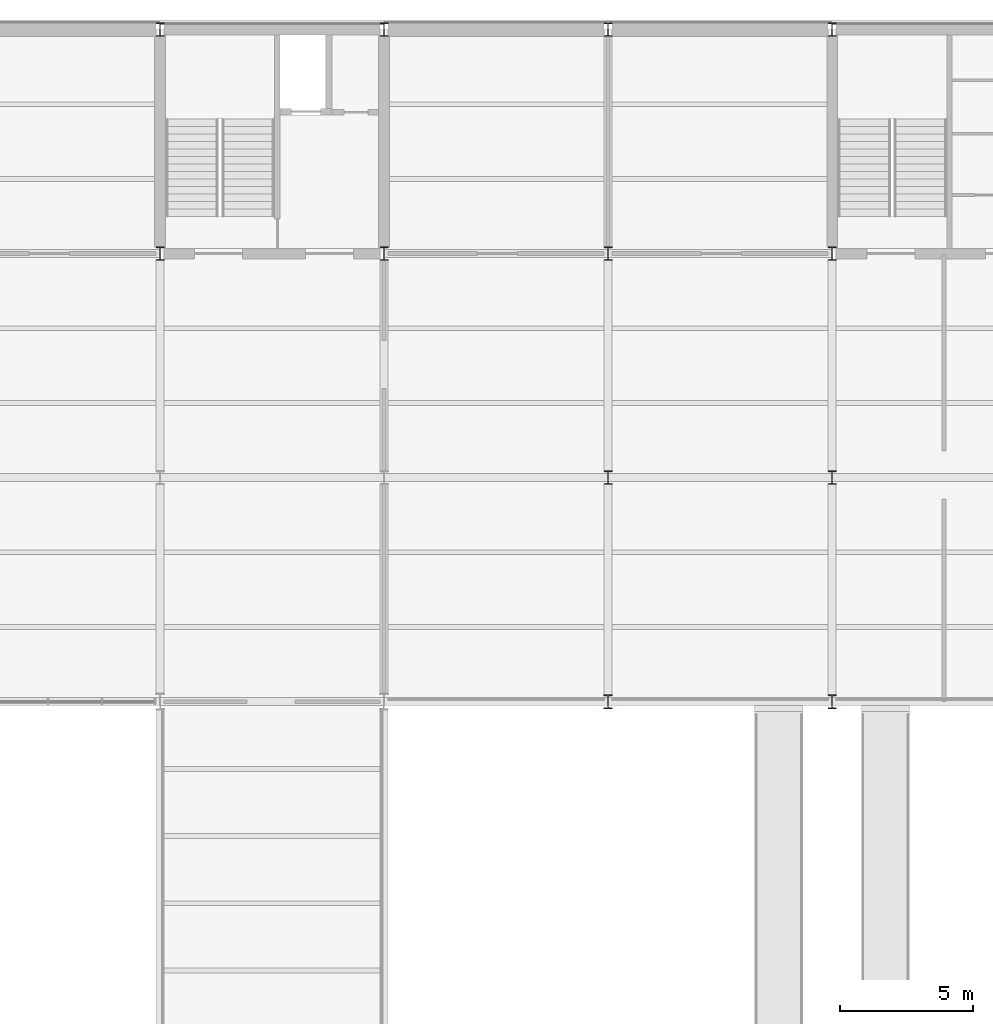
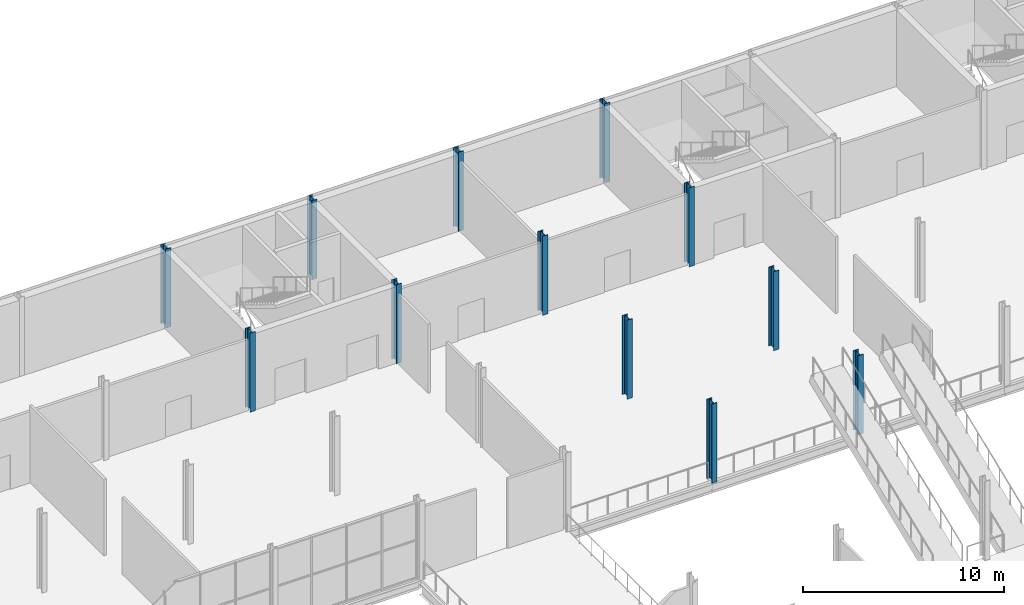
# One storey, part 4 of 61: 12 columns.
"""IFC4 building model written with IfcOpenShell, lengths in metres."""

import ifcopenshell
import ifcopenshell.guid

model = None  # the IFC model being written
_history = None  # IfcOwnerHistory: only IFC2X3 demands one
_inside = {}  # id of a spatial element -> (the spatial element, [elements in it])
_under = {}  # id of a project, library or spatial element -> (it, [spatial elements below it])
_declared = {}  # id of a project -> (the project, [libraries it declares])
_typed = {}  # id of a type object -> (the type object, [elements of that type])
_made_of = {}  # id of a material, layer set ... -> (it, [elements and type objects made of it])


def new_model(schema):
    """Start an empty IFC model of exactly this schema.

    Asked for "IFC4X3", IfcOpenShell would pick the latest addendum, in which some entities
    have other attributes; the version numbers below select the first issue.
    IFC2X3 requires an IfcOwnerHistory on every rooted entity: one is made here for all.
    """
    global model, _history
    if schema == "IFC4X3":
        model = ifcopenshell.file(schema_version=(4, 3, 0, 0))
    else:
        model = ifcopenshell.file(schema=schema)
    _inside.clear()
    _under.clear()
    _declared.clear()
    _typed.clear()
    _made_of.clear()
    _history = None
    if model.schema == "IFC2X3":
        org = make("IfcOrganization", Name="unknown")
        user = make(
            "IfcPersonAndOrganization",
            ThePerson=make("IfcPerson", FamilyName="unknown"),
            TheOrganization=org,
        )
        app = make(
            "IfcApplication",
            ApplicationDeveloper=org,
            Version="unknown",
            ApplicationFullName="unknown",
            ApplicationIdentifier="unknown",
        )
        _history = make(
            "IfcOwnerHistory",
            OwningUser=user,
            OwningApplication=app,
            ChangeAction="ADDED",
            CreationDate=0,
        )
    return model


def make(cls, **values):
    """One entity of the class cls with the attributes given. An attribute that is None is left unset."""
    return model.create_entity(
        cls, **{name: value for name, value in values.items() if value is not None}
    )


def rooted(cls, **values):
    """An entity with a GlobalId (a new one), such as an element, a storey or a relation."""
    return make(cls, GlobalId=ifcopenshell.guid.new(), OwnerHistory=_history, **values)


def si_unit(unit_type, name, prefix=None):
    """IfcSIUnit, for example si_unit("LENGTHUNIT", "METRE", prefix="MILLI")."""
    return make("IfcSIUnit", UnitType=unit_type, Prefix=prefix, Name=name)


def assignment(units):
    """IfcUnitAssignment: the units of a project."""
    return None if units is None else make("IfcUnitAssignment", Units=units)


def point(xyz):
    """IfcCartesianPoint."""
    return None if xyz is None else make("IfcCartesianPoint", Coordinates=xyz)


def direction(xyz):
    """IfcDirection."""
    return None if xyz is None else make("IfcDirection", DirectionRatios=xyz)


def frame(location, z_axis=None, x_axis=None):
    """IfcAxis2Placement3D, a coordinate frame: its origin and axes. An axis left out is left unset."""
    return make(
        "IfcAxis2Placement3D",
        Location=point(location),
        Axis=direction(z_axis),
        RefDirection=direction(x_axis),
    )


def frame_2d(location, x_axis=None):
    """IfcAxis2Placement2D, a coordinate frame in the plane: its origin and x axis."""
    return make(
        "IfcAxis2Placement2D", Location=point(location), RefDirection=direction(x_axis)
    )


def origin():
    """The frame at (0, 0, 0) with its axes left unset."""
    return frame((0.0, 0.0, 0.0))


def origin_2d():
    """The frame at (0, 0) in the plane with its x axis left unset."""
    return frame_2d((0.0, 0.0))


def place(relative_to, where):
    """IfcLocalPlacement: puts the frame where relative to a parent placement (None: the world)."""
    return make(
        "IfcLocalPlacement", PlacementRelTo=relative_to, RelativePlacement=where
    )


def context(
    kind, dimensions, precision=None, world=None, true_north=None, identifier=None
):
    """IfcGeometricRepresentationContext, for example the 3D "Model" context."""
    return make(
        "IfcGeometricRepresentationContext",
        ContextIdentifier=identifier,
        ContextType=kind,
        CoordinateSpaceDimension=dimensions,
        Precision=precision,
        WorldCoordinateSystem=world,
        TrueNorth=true_north,
    )


def subcontext(parent, identifier, kind, view, scale=None):
    """IfcGeometricRepresentationSubContext, for example "Body" below "Model"."""
    return make(
        "IfcGeometricRepresentationSubContext",
        ContextIdentifier=identifier,
        ContextType=kind,
        ParentContext=parent,
        TargetScale=scale,
        TargetView=view,
    )


def project(units=None, contexts=None):
    """IfcProject with its units and contexts."""
    return rooted(
        "IfcProject",
        Name="project",
        RepresentationContexts=contexts,
        UnitsInContext=assignment(units),
    )


def spatial(cls, under=None, at=None, **own):
    """A site, building, storey or space (cls), placed at a placement, below another one or the project."""
    s = rooted(cls, ObjectPlacement=at, **own)
    if under is not None:
        _under.setdefault(under.id(), (under, []))[1].append(s)
    return s


def profile(cls, at=None, kind="AREA", **sizes):
    """A parametric profile (cls). Its sizes go by their IFC names, for example OverallWidth=200.0."""
    return make(cls, ProfileType=kind, Position=at, **sizes)


def i_section(**sizes):
    """IfcIShapeProfileDef."""
    return profile("IfcIShapeProfileDef", **sizes)


def extrude(swept, where, along, depth):
    """IfcExtrudedAreaSolid: the profile swept, set in the frame where, extruded along a direction by depth."""
    return make(
        "IfcExtrudedAreaSolid",
        SweptArea=swept,
        Position=where,
        ExtrudedDirection=direction(along),
        Depth=depth,
    )


def shape(context_of_items, identifier, shape_type, items):
    """IfcShapeRepresentation: the items that make up one representation, for example the "Body"."""
    return make(
        "IfcShapeRepresentation",
        ContextOfItems=context_of_items,
        RepresentationIdentifier=identifier,
        RepresentationType=shape_type,
        Items=items,
    )


def material(Name=None, Category=None):
    """IfcMaterial."""
    return make("IfcMaterial", Name=Name, Category=Category)


def material_profile(
    of_material, cross_section, Name=None, Category=None, Priority=None
):
    """IfcMaterialProfile: a cross section and its material."""
    return make(
        "IfcMaterialProfile",
        Name=Name,
        Material=of_material,
        Profile=cross_section,
        Priority=Priority,
        Category=Category,
    )


def profile_set(profiles, Name=None, composite=None):
    """IfcMaterialProfileSet."""
    return make(
        "IfcMaterialProfileSet",
        Name=Name,
        MaterialProfiles=profiles,
        CompositeProfile=composite,
    )


def made_of(thing, what):
    """Note that an element or type object is made of a material, layer set ...; save() writes the relation."""
    if what is not None:
        _made_of.setdefault(what.id(), (what, []))[1].append(thing)
    return thing


def type_object(cls, material=None, **own):
    """A type object (cls), such as IfcWallType, which elements share."""
    return made_of(rooted(cls, **own), material)


def element(
    cls,
    number,
    at=None,
    inside=None,
    cuts=None,
    type_object=None,
    material=None,
    context=None,
    identifier="Body",
    shape_type=None,
    held_by="IfcProductDefinitionShape",
    body=None,
    shapes=None,
    **own,
):
    """One element of the class cls, such as IfcWall. Its Tag is "e" and its number.

    at: its placement. inside: the storey or other place that contains it. cuts: it is an
    opening in that element (IfcRelVoidsElement). A single representation is given by context,
    identifier, shape_type and body (its items); several are given by shapes. held_by: the class
    of the entity that holds the representations. save() writes the other relations.
    """
    e = rooted(cls, Tag="e%d" % number, ObjectPlacement=at, **own)
    if body is not None:
        shapes = [shape(context, identifier, shape_type, body)]
    if shapes is not None:
        e.Representation = make(held_by, Representations=shapes)
    if inside is not None:
        _inside.setdefault(inside.id(), (inside, []))[1].append(e)
    if cuts is not None:
        rooted(
            "IfcRelVoidsElement", RelatingBuildingElement=cuts, RelatedOpeningElement=e
        )
    if type_object is not None:
        _typed.setdefault(type_object.id(), (type_object, []))[1].append(e)
    return made_of(e, material)


def aggregate(whole, parts):
    """IfcRelAggregates: a whole, such as a stair, and the parts it consists of."""
    return rooted("IfcRelAggregates", RelatingObject=whole, RelatedObjects=parts)


def save(model, path):
    """Write the relations noted so far, then the file.

    IfcRelAggregates (storeys below a building ...), IfcRelContainedInSpatialStructure (elements
    in a storey), IfcRelDefinesByType, IfcRelAssociatesMaterial and IfcRelDeclares: one each for
    every whole, place, type object, material and project.
    """
    for whole, parts in _under.values():
        aggregate(whole, parts)
    for where, things in _inside.values():
        rooted(
            "IfcRelContainedInSpatialStructure",
            RelatedElements=things,
            RelatingStructure=where,
        )
    for kind, things in _typed.values():
        rooted("IfcRelDefinesByType", RelatedObjects=things, RelatingType=kind)
    for what, things in _made_of.values():
        rooted("IfcRelAssociatesMaterial", RelatedObjects=things, RelatingMaterial=what)
    for by, libraries in _declared.values():
        rooted("IfcRelDeclares", RelatingContext=by, RelatedDefinitions=libraries)
    model.write(path)


model = new_model("IFC4")

# Units and contexts
model_context = context("Model", 3, precision=1e-05, world=origin(), true_north=direction((0.0, 1.0)))
body_context = subcontext(model_context, "Body", "Model", "MODEL_VIEW")
ifc_project = project(units=[si_unit("LENGTHUNIT", "METRE"), si_unit("AREAUNIT", "SQUARE_METRE"), si_unit("VOLUMEUNIT", "CUBIC_METRE"), si_unit("PLANEANGLEUNIT", "RADIAN"), si_unit("MASSUNIT", "GRAM", prefix="KILO")], contexts=[model_context])

# Site, building, storey
site_placement = place(None, origin())
site = spatial("IfcSite", under=ifc_project, at=site_placement, CompositionType="ELEMENT")
building_placement = place(site_placement, origin())
building = spatial("IfcBuilding", under=site, at=building_placement, Name="Galleria Vessillo Department Store", CompositionType="ELEMENT")
storey_placement = place(building_placement, frame((0.0, 0.0, 11.39990234375)))
storey = spatial("IfcBuildingStorey", under=building, at=storey_placement, Name="L02", CompositionType="ELEMENT", Elevation=11.39990234375)

# Columns
ifc_material_1 = material(Name="Steel S355 J2", Category="steel")
ifc_material_profile_1 = material_profile(ifc_material_1, i_section(OverallWidth=0.300048828125, OverallDepth=0.5, WebThickness=0.014404296875, FlangeThickness=0.028076171875, FilletRadius=0.027099609375, at=origin_2d()), Name="HEB 500")
ifc_profile_set_1 = profile_set([ifc_material_profile_1], Name="Steel S355 J2")
column_type_1 = type_object("IfcColumnType", Name="Steel column HEB 500 CP1", PredefinedType="COLUMN", material=ifc_profile_set_1)
for number, where, z_axis, x_axis, name in (
    (1, (33.60009765625, 54.60009765625, 0.0), (0.0, 0.0, 1.0), (1.0, 0.0, 0.0), "S-COL-L02-5-G"),
    (2, (33.60009765625, 63.0, 0.0), (0.0, 0.0, 1.0), (1.0, 0.0, 0.0), "S-COL-L02-5-H"),
    (3, (42.0, 54.60009765625, 0.0), (0.0, 0.0, 1.0), (1.0, 0.0, 0.0), "S-COL-L02-6-G"),
    (4, (42.0, 63.0, 0.0), (0.0, 0.0, 1.0), (1.0, 0.0, 0.0), "S-COL-L02-6-H"),
    (5, (50.39990234375, 46.199951171875, 0.0), (0.0, 0.0, 1.0), (1.0, 0.0, 0.0), "S-COL-L02-7-F"),
    (6, (50.39990234375, 54.60009765625, 0.0), (0.0, 0.0, 1.0), (1.0, 0.0, 0.0), "S-COL-L02-7-G"),
    (7, (50.39990234375, 63.0, 0.0), (0.0, 0.0, 1.0), (1.0, 0.0, 0.0), "S-COL-L02-7-H"),
    (8, (58.800048828125, 46.199951171875, 0.0), (0.0, 0.0, 1.0), (1.0, 0.0, 0.0), "S-COL-L02-8-F"),
    (9, (58.800048828125, 54.60009765625, 0.0), (0.0, 0.0, 1.0), (1.0, 0.0, 0.0), "S-COL-L02-8-G"),
    (10, (58.800048828125, 63.0, 0.0), (0.0, 0.0, 1.0), (1.0, 0.0, 0.0), "S-COL-L02-8-H"),
):
    element("IfcColumn", number, at=place(storey_placement, frame(where, z_axis=z_axis, x_axis=x_axis)), inside=storey, type_object=column_type_1, Name=name, PredefinedType="COLUMN", context=body_context, shape_type="SweptSolid", body=[
        extrude(i_section(OverallWidth=0.300048828125, OverallDepth=0.5, WebThickness=0.014404296875, FlangeThickness=0.028076171875, FilletRadius=0.027099609375, at=origin_2d()), origin(), (0.0, 0.0, 1.0), 4.800048828125),
    ])
ifc_material_2 = material(Name="Steel S355 J2", Category="steel")
ifc_material_profile_2 = material_profile(ifc_material_2, i_section(OverallWidth=0.305908203125, OverallDepth=0.52392578125, WebThickness=0.02099609375, FlangeThickness=0.0400390625, FilletRadius=0.027099609375, at=origin_2d()), Name="HEM 500")
ifc_profile_set_2 = profile_set([ifc_material_profile_2], Name="Steel S355 J2")
column_type_2 = type_object("IfcColumnType", Name="Steel column HEM 500 CV1", PredefinedType="COLUMN", material=ifc_profile_set_2)
for number, where, z_axis, x_axis, name in (
    (11, (50.39990234375, 37.800048828125, 0.0), (0.0, 0.0, 1.0), (1.0, 0.0, 0.0), "S-COL-L02-7-E"),
    (12, (58.800048828125, 37.800048828125, 0.0), (0.0, 0.0, 1.0), (1.0, 0.0, 0.0), "S-COL-L02-8-E"),
):
    element("IfcColumn", number, at=place(storey_placement, frame(where, z_axis=z_axis, x_axis=x_axis)), inside=storey, type_object=column_type_2, Name=name, PredefinedType="COLUMN", context=body_context, shape_type="SweptSolid", body=[
        extrude(i_section(OverallWidth=0.305908203125, OverallDepth=0.52392578125, WebThickness=0.02099609375, FlangeThickness=0.0400390625, FilletRadius=0.027099609375, at=origin_2d()), origin(), (0.0, 0.0, 1.0), 4.800048828125),
    ])

save(model, "model.ifc")
